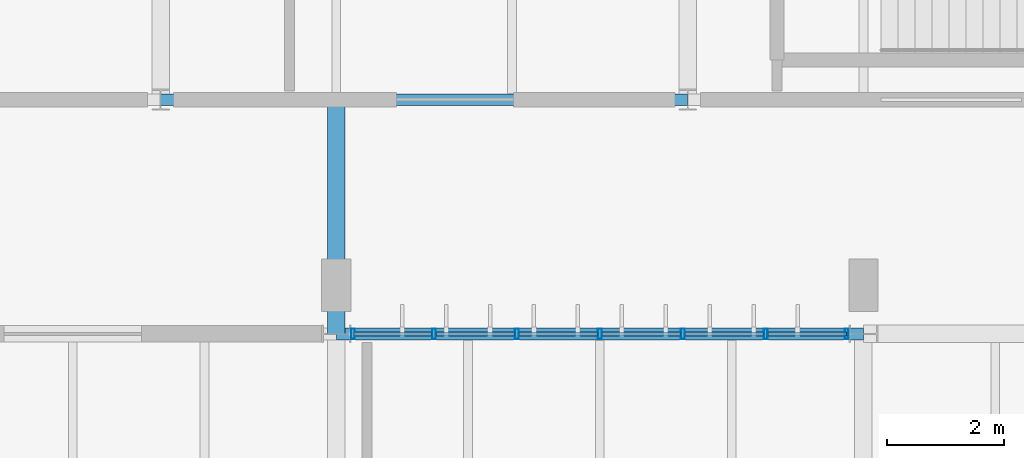
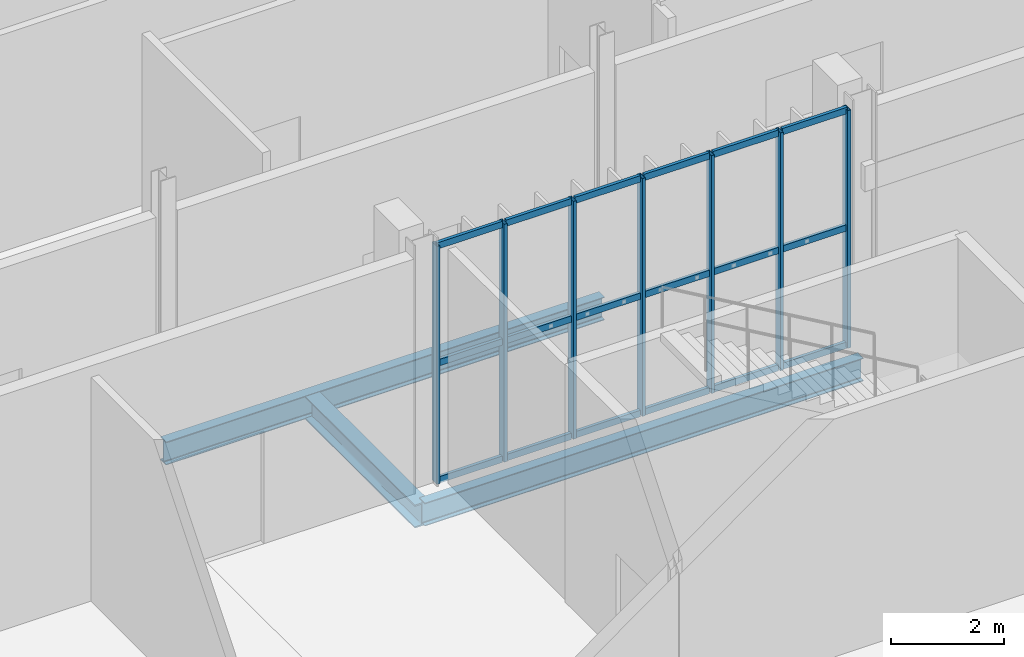
# One storey, part 66 of 158: 25 members, 3 beams, 1 element without a shape of its own.
"""IFC4 building model written with IfcOpenShell, lengths in metres."""

from ifc_helpers import new_model, si_unit, derived_unit, direction, frame, origin, origin_2d, place, context, subcontext, project, spatial, hollow_rectangle, i_section, extrude, material, material_profile, profile_set, type_object, element, aggregate, save


model = new_model("IFC4")

# Units and contexts
model_context = context("Model", 3, precision=1e-05, world=origin(), true_north=direction((0.0, 1.0)))
body_context = subcontext(model_context, "Body", "Model", "MODEL_VIEW")
ifc_project = project(units=[si_unit("LENGTHUNIT", "METRE"), si_unit("AREAUNIT", "SQUARE_METRE"), si_unit("VOLUMEUNIT", "CUBIC_METRE"), si_unit("PLANEANGLEUNIT", "RADIAN"), si_unit("MASSUNIT", "GRAM", prefix="KILO"), si_unit("THERMODYNAMICTEMPERATUREUNIT", "KELVIN"), si_unit("TIMEUNIT", "SECOND"), derived_unit("THERMALTRANSMITTANCEUNIT", [(si_unit("MASSUNIT", "GRAM", prefix="KILO"), 1), (si_unit("THERMODYNAMICTEMPERATUREUNIT", "KELVIN"), -1), (si_unit("TIMEUNIT", "SECOND"), -3)])], contexts=[model_context])

# Site, building, storey
site_placement = place(None, origin())
site = spatial("IfcSite", under=ifc_project, at=site_placement, CompositionType="ELEMENT")
building_placement = place(site_placement, origin())
building = spatial("IfcBuilding", under=site, at=building_placement, Name="Cambertide Market Hall", CompositionType="ELEMENT")
storey_placement = place(building_placement, origin())
storey = spatial("IfcBuildingStorey", under=building, at=storey_placement, Name="L01", CompositionType="ELEMENT", Elevation=0.0)

# Curtain wall, members
ifc_material_1 = material(Name="Marine Anodized Aluminium 6063-T6 AA25", Category="aluminium")
curtain_wall_type = type_object("IfcCurtainWallType", Name="Lantern Straight Lower Curtain Wall", PredefinedType="USERDEFINED", material=ifc_material_1)
curtain_wall_placement = place(storey_placement, origin())
curtain_wall = element("IfcCurtainWall", 1, at=curtain_wall_placement, inside=storey, type_object=curtain_wall_type, Name="Level 1 Curtain Wall CW-V1N-L01-5", ObjectType="UNITIZED CURTAIN WALL", PredefinedType="USERDEFINED")
ifc_material_2 = material(Name="Champagne Marine Anodized Aluminium 6063-T6 AA25", Category="aluminium")
ifc_material_profile_1 = material_profile(ifc_material_2, hollow_rectangle(XDim=0.06494140625, YDim=0.179931640625, WallThickness=0.00390625, at=origin_2d()), Name="ALU MULLION 65x180")
ifc_profile_set_1 = profile_set([ifc_material_profile_1], Name="Champagne Marine Anodized Aluminium 6063-T6 AA25")
member_type_1 = type_object("IfcMemberType", Name="Curtain Wall Mullion ALU MULLION 65x180", PredefinedType="MULLION", material=ifc_profile_set_1)
member_1_placement = place(storey_placement, frame((78.284912109375, 92.0, 0.0), z_axis=(0.0, 0.0, 1.0), x_axis=(1.0, 0.0, 0.0)))
member_1 = element("IfcMember", 2, at=member_1_placement, type_object=member_type_1, Name="CW-V1N-L01-5 Mullion 1", PredefinedType="MULLION", context=body_context, shape_type="SweptSolid", body=[
    extrude(hollow_rectangle(XDim=0.06494140625, YDim=0.179931640625, WallThickness=0.00390625, at=origin_2d()), origin(), (0.0, 0.0, 1.0), 5.159912109375),
])
member_2_placement = place(storey_placement, frame((79.666748046875, 92.0, 0.0), z_axis=(0.0, 0.0, 1.0), x_axis=(1.0, 0.0, 0.0)))
member_2 = element("IfcMember", 3, at=member_2_placement, type_object=member_type_1, Name="CW-V1N-L01-5 Mullion 2", PredefinedType="MULLION", context=body_context, shape_type="SweptSolid", body=[
    extrude(hollow_rectangle(XDim=0.06494140625, YDim=0.179931640625, WallThickness=0.00390625, at=origin_2d()), origin(), (0.0, 0.0, 1.0), 5.159912109375),
])
member_3_placement = place(storey_placement, frame((81.083251953125, 92.0, 0.0), z_axis=(0.0, 0.0, 1.0), x_axis=(1.0, 0.0, 0.0)))
member_3 = element("IfcMember", 4, at=member_3_placement, type_object=member_type_1, Name="CW-V1N-L01-5 Mullion 3", PredefinedType="MULLION", context=body_context, shape_type="SweptSolid", body=[
    extrude(hollow_rectangle(XDim=0.06494140625, YDim=0.179931640625, WallThickness=0.00390625, at=origin_2d()), origin(), (0.0, 0.0, 1.0), 5.159912109375),
])
member_4_placement = place(storey_placement, frame((82.5, 92.0, 0.0), z_axis=(0.0, 0.0, 1.0), x_axis=(1.0, 0.0, 0.0)))
member_4 = element("IfcMember", 5, at=member_4_placement, type_object=member_type_1, Name="CW-V1N-L01-5 Mullion 4", PredefinedType="MULLION", context=body_context, shape_type="SweptSolid", body=[
    extrude(hollow_rectangle(XDim=0.06494140625, YDim=0.179931640625, WallThickness=0.00390625, at=origin_2d()), origin(), (0.0, 0.0, 1.0), 5.159912109375),
])
member_5_placement = place(storey_placement, frame((83.916748046875, 92.0, 0.0), z_axis=(0.0, 0.0, 1.0), x_axis=(1.0, 0.0, 0.0)))
member_5 = element("IfcMember", 6, at=member_5_placement, type_object=member_type_1, Name="CW-V1N-L01-5 Mullion 5", PredefinedType="MULLION", context=body_context, shape_type="SweptSolid", body=[
    extrude(hollow_rectangle(XDim=0.06494140625, YDim=0.179931640625, WallThickness=0.00390625, at=origin_2d()), origin(), (0.0, 0.0, 1.0), 5.159912109375),
])
member_6_placement = place(storey_placement, frame((85.333251953125, 92.0, 0.0), z_axis=(0.0, 0.0, 1.0), x_axis=(1.0, 0.0, 0.0)))
member_6 = element("IfcMember", 7, at=member_6_placement, type_object=member_type_1, Name="CW-V1N-L01-5 Mullion 6", PredefinedType="MULLION", context=body_context, shape_type="SweptSolid", body=[
    extrude(hollow_rectangle(XDim=0.06494140625, YDim=0.179931640625, WallThickness=0.00390625, at=origin_2d()), origin(), (0.0, 0.0, 1.0), 5.159912109375),
])
member_7_placement = place(storey_placement, frame((86.715087890625, 92.0, 0.0), z_axis=(0.0, 0.0, 1.0), x_axis=(1.0, 0.0, 0.0)))
member_7 = element("IfcMember", 8, at=member_7_placement, type_object=member_type_1, Name="CW-V1N-L01-5 Mullion 7", PredefinedType="MULLION", context=body_context, shape_type="SweptSolid", body=[
    extrude(hollow_rectangle(XDim=0.06494140625, YDim=0.179931640625, WallThickness=0.00390625, at=origin_2d()), origin(), (0.0, 0.0, 1.0), 5.159912109375),
])
ifc_material_3 = material(Name="Champagne Marine Anodized Aluminium 6063-T6 AA25", Category="aluminium")
ifc_material_profile_2 = material_profile(ifc_material_3, hollow_rectangle(XDim=0.06494140625, YDim=0.139892578125, WallThickness=0.00341796875, at=origin_2d()), Name="ALU TRANSOM 65x140")
ifc_profile_set_2 = profile_set([ifc_material_profile_2], Name="Champagne Marine Anodized Aluminium 6063-T6 AA25")
member_type_2 = type_object("IfcMemberType", Name="Curtain Wall Transom ALU TRANSOM 65x140", PredefinedType="USERDEFINED", material=ifc_profile_set_2)
member_8_placement = place(storey_placement, frame((78.2900390625, 92.0, 0.034912109375), z_axis=(1.0, 0.0, 0.0), x_axis=(0.0, 1.0, 0.0)))
member_8 = element("IfcMember", 9, at=member_8_placement, type_object=member_type_2, Name="CW-V1N-L01-5 Transom 1-1", ObjectType="TRANSOM", PredefinedType="USERDEFINED", context=body_context, shape_type="SweptSolid", body=[
    extrude(hollow_rectangle(XDim=0.06494140625, YDim=0.139892578125, WallThickness=0.00341796875, at=origin_2d()), origin(), (0.0, 0.0, 1.0), 1.336669921875),
])
member_9_placement = place(storey_placement, frame((79.706787109375, 92.0, 0.034912109375), z_axis=(1.0, 0.0, 0.0), x_axis=(0.0, 1.0, 0.0)))
member_9 = element("IfcMember", 10, at=member_9_placement, type_object=member_type_2, Name="CW-V1N-L01-5 Transom 1-2", ObjectType="TRANSOM", PredefinedType="USERDEFINED", context=body_context, shape_type="SweptSolid", body=[
    extrude(hollow_rectangle(XDim=0.06494140625, YDim=0.139892578125, WallThickness=0.00341796875, at=origin_2d()), origin(), (0.0, 0.0, 1.0), 1.33642578125),
])
member_10_placement = place(storey_placement, frame((81.123291015625, 92.0, 0.034912109375), z_axis=(1.0, 0.0, 0.0), x_axis=(0.0, 1.0, 0.0)))
member_10 = element("IfcMember", 11, at=member_10_placement, type_object=member_type_2, Name="CW-V1N-L01-5 Transom 1-3", ObjectType="TRANSOM", PredefinedType="USERDEFINED", context=body_context, shape_type="SweptSolid", body=[
    extrude(hollow_rectangle(XDim=0.06494140625, YDim=0.139892578125, WallThickness=0.00341796875, at=origin_2d()), origin(), (0.0, 0.0, 1.0), 1.336669921875),
])
member_11_placement = place(storey_placement, frame((82.5400390625, 92.0, 0.034912109375), z_axis=(1.0, 0.0, 0.0), x_axis=(0.0, 1.0, 0.0)))
member_11 = element("IfcMember", 12, at=member_11_placement, type_object=member_type_2, Name="CW-V1N-L01-5 Transom 1-4", ObjectType="TRANSOM", PredefinedType="USERDEFINED", context=body_context, shape_type="SweptSolid", body=[
    extrude(hollow_rectangle(XDim=0.06494140625, YDim=0.139892578125, WallThickness=0.00341796875, at=origin_2d()), origin(), (0.0, 0.0, 1.0), 1.336669921875),
])
member_12_placement = place(storey_placement, frame((83.956787109375, 92.0, 0.034912109375), z_axis=(1.0, 0.0, 0.0), x_axis=(0.0, 1.0, 0.0)))
member_12 = element("IfcMember", 13, at=member_12_placement, type_object=member_type_2, Name="CW-V1N-L01-5 Transom 1-5", ObjectType="TRANSOM", PredefinedType="USERDEFINED", context=body_context, shape_type="SweptSolid", body=[
    extrude(hollow_rectangle(XDim=0.06494140625, YDim=0.139892578125, WallThickness=0.00341796875, at=origin_2d()), origin(), (0.0, 0.0, 1.0), 1.33642578125),
])
member_13_placement = place(storey_placement, frame((85.373291015625, 92.0, 0.034912109375), z_axis=(1.0, 0.0, 0.0), x_axis=(0.0, 1.0, 0.0)))
member_13 = element("IfcMember", 14, at=member_13_placement, type_object=member_type_2, Name="CW-V1N-L01-5 Transom 1-6", ObjectType="TRANSOM", PredefinedType="USERDEFINED", context=body_context, shape_type="SweptSolid", body=[
    extrude(hollow_rectangle(XDim=0.06494140625, YDim=0.139892578125, WallThickness=0.00341796875, at=origin_2d()), origin(), (0.0, 0.0, 1.0), 1.336669921875),
])
member_14_placement = place(storey_placement, frame((78.2900390625, 92.0, 2.580078125), z_axis=(1.0, 0.0, 0.0), x_axis=(0.0, 1.0, 0.0)))
member_14 = element("IfcMember", 15, at=member_14_placement, type_object=member_type_2, Name="CW-V1N-L01-5 Transom 2-1", ObjectType="TRANSOM", PredefinedType="USERDEFINED", context=body_context, shape_type="SweptSolid", body=[
    extrude(hollow_rectangle(XDim=0.06494140625, YDim=0.139892578125, WallThickness=0.00341796875, at=origin_2d()), origin(), (0.0, 0.0, 1.0), 1.336669921875),
])
member_15_placement = place(storey_placement, frame((79.706787109375, 92.0, 2.580078125), z_axis=(1.0, 0.0, 0.0), x_axis=(0.0, 1.0, 0.0)))
member_15 = element("IfcMember", 16, at=member_15_placement, type_object=member_type_2, Name="CW-V1N-L01-5 Transom 2-2", ObjectType="TRANSOM", PredefinedType="USERDEFINED", context=body_context, shape_type="SweptSolid", body=[
    extrude(hollow_rectangle(XDim=0.06494140625, YDim=0.139892578125, WallThickness=0.00341796875, at=origin_2d()), origin(), (0.0, 0.0, 1.0), 1.33642578125),
])
member_16_placement = place(storey_placement, frame((81.123291015625, 92.0, 2.580078125), z_axis=(1.0, 0.0, 0.0), x_axis=(0.0, 1.0, 0.0)))
member_16 = element("IfcMember", 17, at=member_16_placement, type_object=member_type_2, Name="CW-V1N-L01-5 Transom 2-3", ObjectType="TRANSOM", PredefinedType="USERDEFINED", context=body_context, shape_type="SweptSolid", body=[
    extrude(hollow_rectangle(XDim=0.06494140625, YDim=0.139892578125, WallThickness=0.00341796875, at=origin_2d()), origin(), (0.0, 0.0, 1.0), 1.336669921875),
])
member_17_placement = place(storey_placement, frame((82.5400390625, 92.0, 2.580078125), z_axis=(1.0, 0.0, 0.0), x_axis=(0.0, 1.0, 0.0)))
member_17 = element("IfcMember", 18, at=member_17_placement, type_object=member_type_2, Name="CW-V1N-L01-5 Transom 2-4", ObjectType="TRANSOM", PredefinedType="USERDEFINED", context=body_context, shape_type="SweptSolid", body=[
    extrude(hollow_rectangle(XDim=0.06494140625, YDim=0.139892578125, WallThickness=0.00341796875, at=origin_2d()), origin(), (0.0, 0.0, 1.0), 1.336669921875),
])
member_18_placement = place(storey_placement, frame((83.956787109375, 92.0, 2.580078125), z_axis=(1.0, 0.0, 0.0), x_axis=(0.0, 1.0, 0.0)))
member_18 = element("IfcMember", 19, at=member_18_placement, type_object=member_type_2, Name="CW-V1N-L01-5 Transom 2-5", ObjectType="TRANSOM", PredefinedType="USERDEFINED", context=body_context, shape_type="SweptSolid", body=[
    extrude(hollow_rectangle(XDim=0.06494140625, YDim=0.139892578125, WallThickness=0.00341796875, at=origin_2d()), origin(), (0.0, 0.0, 1.0), 1.33642578125),
])
member_19_placement = place(storey_placement, frame((85.373291015625, 92.0, 2.580078125), z_axis=(1.0, 0.0, 0.0), x_axis=(0.0, 1.0, 0.0)))
member_19 = element("IfcMember", 20, at=member_19_placement, type_object=member_type_2, Name="CW-V1N-L01-5 Transom 2-6", ObjectType="TRANSOM", PredefinedType="USERDEFINED", context=body_context, shape_type="SweptSolid", body=[
    extrude(hollow_rectangle(XDim=0.06494140625, YDim=0.139892578125, WallThickness=0.00341796875, at=origin_2d()), origin(), (0.0, 0.0, 1.0), 1.336669921875),
])
member_20_placement = place(storey_placement, frame((78.2900390625, 92.0, 5.125), z_axis=(1.0, 0.0, 0.0), x_axis=(0.0, 1.0, 0.0)))
member_20 = element("IfcMember", 21, at=member_20_placement, type_object=member_type_2, Name="CW-V1N-L01-5 Transom 3-1", ObjectType="TRANSOM", PredefinedType="USERDEFINED", context=body_context, shape_type="SweptSolid", body=[
    extrude(hollow_rectangle(XDim=0.06494140625, YDim=0.139892578125, WallThickness=0.00341796875, at=origin_2d()), origin(), (0.0, 0.0, 1.0), 1.336669921875),
])
member_21_placement = place(storey_placement, frame((79.706787109375, 92.0, 5.125), z_axis=(1.0, 0.0, 0.0), x_axis=(0.0, 1.0, 0.0)))
member_21 = element("IfcMember", 22, at=member_21_placement, type_object=member_type_2, Name="CW-V1N-L01-5 Transom 3-2", ObjectType="TRANSOM", PredefinedType="USERDEFINED", context=body_context, shape_type="SweptSolid", body=[
    extrude(hollow_rectangle(XDim=0.06494140625, YDim=0.139892578125, WallThickness=0.00341796875, at=origin_2d()), origin(), (0.0, 0.0, 1.0), 1.33642578125),
])
member_22_placement = place(storey_placement, frame((81.123291015625, 92.0, 5.125), z_axis=(1.0, 0.0, 0.0), x_axis=(0.0, 1.0, 0.0)))
member_22 = element("IfcMember", 23, at=member_22_placement, type_object=member_type_2, Name="CW-V1N-L01-5 Transom 3-3", ObjectType="TRANSOM", PredefinedType="USERDEFINED", context=body_context, shape_type="SweptSolid", body=[
    extrude(hollow_rectangle(XDim=0.06494140625, YDim=0.139892578125, WallThickness=0.00341796875, at=origin_2d()), origin(), (0.0, 0.0, 1.0), 1.336669921875),
])
member_23_placement = place(storey_placement, frame((82.5400390625, 92.0, 5.125), z_axis=(1.0, 0.0, 0.0), x_axis=(0.0, 1.0, 0.0)))
member_23 = element("IfcMember", 24, at=member_23_placement, type_object=member_type_2, Name="CW-V1N-L01-5 Transom 3-4", ObjectType="TRANSOM", PredefinedType="USERDEFINED", context=body_context, shape_type="SweptSolid", body=[
    extrude(hollow_rectangle(XDim=0.06494140625, YDim=0.139892578125, WallThickness=0.00341796875, at=origin_2d()), origin(), (0.0, 0.0, 1.0), 1.336669921875),
])
member_24_placement = place(storey_placement, frame((83.956787109375, 92.0, 5.125), z_axis=(1.0, 0.0, 0.0), x_axis=(0.0, 1.0, 0.0)))
member_24 = element("IfcMember", 25, at=member_24_placement, type_object=member_type_2, Name="CW-V1N-L01-5 Transom 3-5", ObjectType="TRANSOM", PredefinedType="USERDEFINED", context=body_context, shape_type="SweptSolid", body=[
    extrude(hollow_rectangle(XDim=0.06494140625, YDim=0.139892578125, WallThickness=0.00341796875, at=origin_2d()), origin(), (0.0, 0.0, 1.0), 1.33642578125),
])
member_25_placement = place(storey_placement, frame((85.373291015625, 92.0, 5.125), z_axis=(1.0, 0.0, 0.0), x_axis=(0.0, 1.0, 0.0)))
member_25 = element("IfcMember", 26, at=member_25_placement, type_object=member_type_2, Name="CW-V1N-L01-5 Transom 3-6", ObjectType="TRANSOM", PredefinedType="USERDEFINED", context=body_context, shape_type="SweptSolid", body=[
    extrude(hollow_rectangle(XDim=0.06494140625, YDim=0.139892578125, WallThickness=0.00341796875, at=origin_2d()), origin(), (0.0, 0.0, 1.0), 1.336669921875),
])
aggregate(curtain_wall, [member_1, member_2, member_3, member_4, member_5, member_6, member_7, member_8, member_9, member_10, member_11, member_12, member_13, member_14, member_15, member_16, member_17, member_18, member_19, member_20, member_21, member_22, member_23, member_24, member_25])

# Beams
ifc_material_4 = material(Name="Steel S355", Category="steel")
ifc_material_profile_3 = material_profile(ifc_material_4, i_section(OverallWidth=0.300048828125, OverallDepth=0.5, WebThickness=0.014404296875, FlangeThickness=0.028076171875, FilletRadius=0.027099609375, at=origin_2d()), Name="HEB 500")
ifc_profile_set_3 = profile_set([ifc_material_profile_3], Name="Steel S355")
beam_type_1 = type_object("IfcBeamType", Name="Steel Girder HEB 500", PredefinedType="BEAM", material=ifc_profile_set_3)
beam_placement = place(storey_placement, frame((78.0, 92.0, -0.610107421875), z_axis=(0.0, 1.0, 0.0), x_axis=(-1.0, 0.0, 0.0)))
element("IfcBeam", 27, at=beam_placement, inside=storey, type_object=beam_type_1, Name="Level 1 Beam TIE-V1V2-3", PredefinedType="BEAM", context=body_context, shape_type="SweptSolid", body=[
    extrude(i_section(OverallWidth=0.300048828125, OverallDepth=0.5, WebThickness=0.014404296875, FlangeThickness=0.028076171875, FilletRadius=0.027099609375, at=origin_2d()), origin(), (0.0, 0.0, 1.0), 3.89208984375),
])
ifc_material_5 = material(Name="Steel S355", Category="steel")
ifc_material_profile_4 = material_profile(ifc_material_5, i_section(OverallWidth=0.199951171875, OverallDepth=0.5, WebThickness=0.01025390625, FlangeThickness=0.01611328125, FilletRadius=0.02099609375, at=origin_2d()), Name="IPE 500")
ifc_profile_set_4 = profile_set([ifc_material_profile_4], Name="Steel S355")
beam_type_2 = type_object("IfcBeamType", Name="Steel Girder IPE 500", PredefinedType="BEAM", material=ifc_profile_set_4)
for number, where, z_axis, x_axis, name in (
    (28, (78.0, 92.0, -0.56005859375), (1.0, 0.0, 0.0), (0.0, 1.0, 0.0), "Level 1 Beam BM-V1N-L01-5"),
    (29, (75.0, 96.0, -0.610107421875), (1.0, 0.0, 0.0), (0.0, 1.0, 0.0), "Level 1 Beam BM-V2X-L01-8-1"),
):
    element("IfcBeam", number, at=place(storey_placement, frame(where, z_axis=z_axis, x_axis=x_axis)), inside=storey, type_object=beam_type_2, Name=name, PredefinedType="BEAM", context=body_context, shape_type="SweptSolid", body=[
        extrude(i_section(OverallWidth=0.199951171875, OverallDepth=0.5, WebThickness=0.01025390625, FlangeThickness=0.01611328125, FilletRadius=0.02099609375, at=origin_2d()), origin(), (0.0, 0.0, 1.0), 9.0),
    ])

save(model, "model.ifc")
